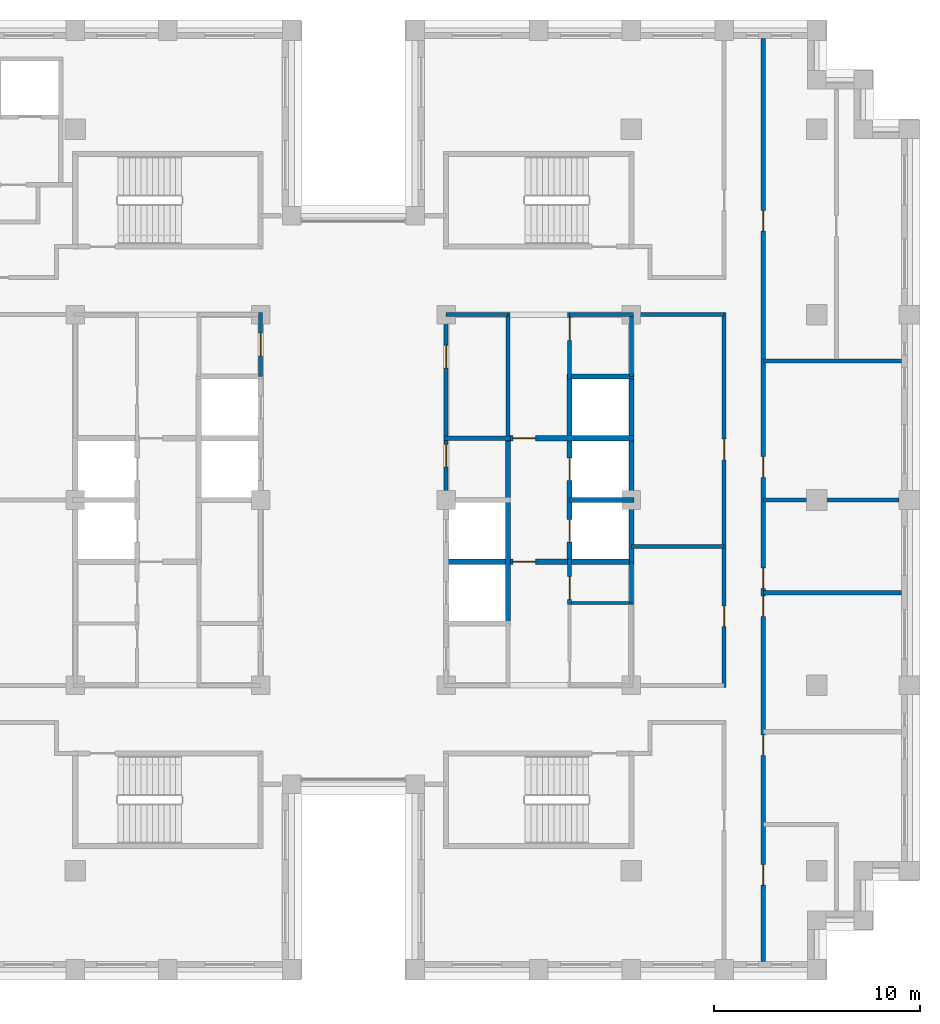
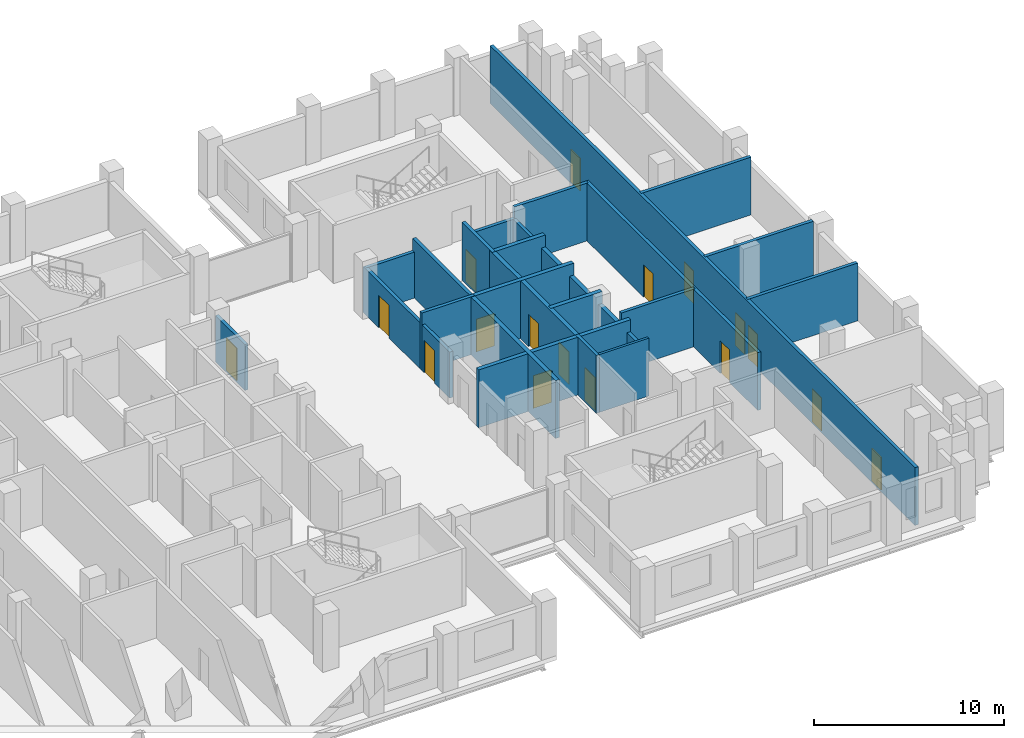
# One storey, part 9 of 15: 25 walls, 17 doors, 17 openings.
"""IFC4 building model written with IfcOpenShell, lengths in metres."""

from ifc_helpers import new_model, si_unit, direction, frame, frame_2d, origin, place, context, subcontext, project, spatial, rectangle, extrude, material, layer, layer_set, type_object, element, fill, save


model = new_model("IFC4")

# Units and contexts
model_context = context("Model", 3, precision=1e-05, world=origin(), true_north=direction((0.0, 1.0)))
body_context = subcontext(model_context, "Body", "Model", "MODEL_VIEW")
ifc_project = project(units=[si_unit("LENGTHUNIT", "METRE"), si_unit("AREAUNIT", "SQUARE_METRE"), si_unit("VOLUMEUNIT", "CUBIC_METRE"), si_unit("PLANEANGLEUNIT", "RADIAN"), si_unit("MASSUNIT", "GRAM", prefix="KILO")], contexts=[model_context])

# Site, building, storey
site_placement = place(None, origin())
site = spatial("IfcSite", under=ifc_project, at=site_placement, CompositionType="ELEMENT")
building_placement = place(site_placement, origin())
building = spatial("IfcBuilding", under=site, at=building_placement, Name="Corbelhall Arena Tower", CompositionType="ELEMENT")
storey_placement = place(building_placement, frame((0.0, 0.0, 196.0)))
storey = spatial("IfcBuildingStorey", under=building, at=storey_placement, Name="L40", CompositionType="ELEMENT", Elevation=196.0)

# Walls
ifc_material_1 = material(Name="Gypsum board on steel stud, acoustic", Category="steel")
ifc_layer_1 = layer(ifc_material_1, 0.199951171875)
ifc_layer_set_1 = layer_set([ifc_layer_1], Name="IN-W-DM200")
wall_type_1 = type_object("IfcWallType", Name="IN-W-DM200", PredefinedType="PARTITIONING", material=ifc_layer_set_1)
for number, where, z_axis, x_axis, name in (
    (1, (13.5, -2.25, 0.0), (0.0, 0.0, 1.0), (1.0, 0.0, 0.0), "Partition 038"),
    (2, (18.0, 9.0, 0.0), (0.0, 0.0, 1.0), (-1.0, 0.0, 0.0), "Partition 041"),
):
    element("IfcWall", number, at=place(storey_placement, frame(where, z_axis=z_axis, x_axis=x_axis)), inside=storey, type_object=wall_type_1, Name=name, PredefinedType="PARTITIONING", context=body_context, shape_type="SweptSolid", body=[
        extrude(rectangle(XDim=4.5, YDim=0.199951171875, at=frame_2d((2.25, 0.0))), origin(), (0.0, 0.0, 1.0), 3.719970703125),
    ])

# Wall, openings, doors
wall_1_placement = place(storey_placement, frame((18.0, -9.10009765625, 0.0), z_axis=(0.0, 0.0, 1.0), x_axis=(0.0, 1.0, 0.0)))
wall_1 = element("IfcWall", 3, at=wall_1_placement, inside=storey, type_object=wall_type_1, Name="Partition 046", PredefinedType="PARTITIONING", context=body_context, shape_type="SweptSolid", body=[
    extrude(rectangle(XDim=18.2001953125, YDim=0.199951171875, at=frame_2d((9.10009765625, 0.0))), origin(), (0.0, 0.0, 1.0), 3.719970703125),
])
opening_1_placement = place(wall_1_placement, frame((2.949951171875, 0.0, 0.0)))
opening_1 = element("IfcOpeningElement", 4, at=opening_1_placement, cuts=wall_1, Name="Opening 12025", PredefinedType="OPENING", context=body_context, shape_type="SweptSolid", body=[
    extrude(rectangle(XDim=1.0, YDim=2.10009765625, at=frame_2d((0.5, 1.050048828125))), frame((0.0, 0.10009765625, 0.0), z_axis=(0.0, -1.0, 0.0), x_axis=(1.0, 0.0, 0.0)), (0.0, 0.0, 1.0), 0.199951171875),
])
opening_2_placement = place(wall_1_placement, frame((11.050048828125, 0.0, 0.0)))
opening_2 = element("IfcOpeningElement", 5, at=opening_2_placement, cuts=wall_1, Name="Opening 12026", PredefinedType="OPENING", context=body_context, shape_type="SweptSolid", body=[
    extrude(rectangle(XDim=1.0, YDim=2.10009765625, at=frame_2d((0.5, 1.050048828125))), frame((0.0, 0.10009765625, 0.0), z_axis=(0.0, -1.0, 0.0), x_axis=(1.0, 0.0, 0.0)), (0.0, 0.0, 1.0), 0.199951171875),
])
ifc_material_2 = material(Name="Steel door set", Category="steel")
door_type_1 = type_object("IfcDoorType", Name="IN-D-SW100", OperationType="NOTDEFINED", PredefinedType="DOOR", material=ifc_material_2)
door_1_placement = place(opening_1_placement, origin())
door_1 = element("IfcDoor", 6, at=door_1_placement, inside=storey, type_object=door_type_1, Name="Door 025", OperationType="SINGLE_SWING_RIGHT", OverallHeight=2.10009765625, OverallWidth=1.0, PredefinedType="DOOR", context=body_context, shape_type="SweptSolid", body=[
    extrude(rectangle(XDim=1.0, YDim=2.10009765625, at=frame_2d((0.5, 1.050048828125))), frame((0.0, 0.02490234375, 0.0), z_axis=(0.0, -1.0, 0.0), x_axis=(1.0, 0.0, 0.0)), (0.0, 0.0, 1.0), 0.050048828125),
])
fill(opening_1, door_1)
door_2_placement = place(opening_2_placement, origin())
door_2 = element("IfcDoor", 7, at=door_2_placement, inside=storey, type_object=door_type_1, Name="Door 026", OperationType="SINGLE_SWING_LEFT", OverallHeight=2.10009765625, OverallWidth=1.0, PredefinedType="DOOR", context=body_context, shape_type="SweptSolid", body=[
    extrude(rectangle(XDim=1.0, YDim=2.10009765625, at=frame_2d((0.5, 1.050048828125))), frame((0.0, 0.02490234375, 0.0), z_axis=(0.0, -1.0, 0.0), x_axis=(1.0, 0.0, 0.0)), (0.0, 0.0, 1.0), 0.050048828125),
])
fill(opening_2, door_2)

wall_2_placement = place(storey_placement, frame((19.89990234375, 22.39990234375, 0.0), z_axis=(0.0, 0.0, 1.0), x_axis=(0.0, -1.0, 0.0)))
wall_2 = element("IfcWall", 8, at=wall_2_placement, inside=storey, type_object=wall_type_1, Name="Partition 049", PredefinedType="PARTITIONING", context=body_context, shape_type="SweptSolid", body=[
    extrude(rectangle(XDim=44.7998046875, YDim=0.199951171875, at=frame_2d((22.39990234375, 0.0))), origin(), (0.0, 0.0, 1.0), 3.719970703125),
])
opening_3_placement = place(wall_2_placement, frame((20.300048828125, 0.0, 0.0)))
opening_3 = element("IfcOpeningElement", 9, at=opening_3_placement, cuts=wall_2, Name="Opening 12036", PredefinedType="OPENING", context=body_context, shape_type="SweptSolid", body=[
    extrude(rectangle(XDim=1.0, YDim=2.10009765625, at=frame_2d((0.5, 1.050048828125))), frame((0.0, 0.10009765625, 0.0), z_axis=(0.0, -1.0, 0.0), x_axis=(1.0, 0.0, 0.0)), (0.0, 0.0, 1.0), 0.199951171875),
])
opening_4_placement = place(wall_2_placement, frame((8.35009765625, 0.0, 0.0)))
opening_4 = element("IfcOpeningElement", 10, at=opening_4_placement, cuts=wall_2, Name="Opening 12037", PredefinedType="OPENING", context=body_context, shape_type="SweptSolid", body=[
    extrude(rectangle(XDim=1.0, YDim=2.10009765625, at=frame_2d((0.5, 1.050048828125))), frame((0.0, 0.10009765625, 0.0), z_axis=(0.0, -1.0, 0.0), x_axis=(1.0, 0.0, 0.0)), (0.0, 0.0, 1.0), 0.199951171875),
])
opening_5_placement = place(wall_2_placement, frame((40.10009765625, 0.0, 0.0)))
opening_5 = element("IfcOpeningElement", 11, at=opening_5_placement, cuts=wall_2, Name="Opening 12039", PredefinedType="OPENING", context=body_context, shape_type="SweptSolid", body=[
    extrude(rectangle(XDim=1.0, YDim=2.10009765625, at=frame_2d((0.5, 1.050048828125))), frame((0.0, 0.10009765625, 0.0), z_axis=(0.0, -1.0, 0.0), x_axis=(1.0, 0.0, 0.0)), (0.0, 0.0, 1.0), 0.199951171875),
])
opening_6_placement = place(wall_2_placement, frame((33.800048828125, 0.0, 0.0)))
opening_6 = element("IfcOpeningElement", 12, at=opening_6_placement, cuts=wall_2, Name="Opening 12040", PredefinedType="OPENING", context=body_context, shape_type="SweptSolid", body=[
    extrude(rectangle(XDim=1.0, YDim=2.10009765625, at=frame_2d((0.5, 1.050048828125))), frame((0.0, 0.10009765625, 0.0), z_axis=(0.0, -1.0, 0.0), x_axis=(1.0, 0.0, 0.0)), (0.0, 0.0, 1.0), 0.199951171875),
])
opening_7_placement = place(wall_2_placement, frame((27.050048828125, 0.0, 0.0)))
opening_7 = element("IfcOpeningElement", 13, at=opening_7_placement, cuts=wall_2, Name="Opening 12041", PredefinedType="OPENING", context=body_context, shape_type="SweptSolid", body=[
    extrude(rectangle(XDim=1.0, YDim=2.10009765625, at=frame_2d((0.5, 1.050048828125))), frame((0.0, 0.10009765625, 0.0), z_axis=(0.0, -1.0, 0.0), x_axis=(1.0, 0.0, 0.0)), (0.0, 0.0, 1.0), 0.199951171875),
])
opening_8_placement = place(wall_2_placement, frame((25.699951171875, 0.0, 0.0)))
opening_8 = element("IfcOpeningElement", 14, at=opening_8_placement, cuts=wall_2, Name="Opening 12042", PredefinedType="OPENING", context=body_context, shape_type="SweptSolid", body=[
    extrude(rectangle(XDim=1.0, YDim=2.10009765625, at=frame_2d((0.5, 1.050048828125))), frame((0.0, 0.10009765625, 0.0), z_axis=(0.0, -1.0, 0.0), x_axis=(1.0, 0.0, 0.0)), (0.0, 0.0, 1.0), 0.199951171875),
])
door_3_placement = place(opening_3_placement, origin())
door_3 = element("IfcDoor", 15, at=door_3_placement, inside=storey, type_object=door_type_1, Name="Door 036", OperationType="SINGLE_SWING_LEFT", OverallHeight=2.10009765625, OverallWidth=1.0, PredefinedType="DOOR", context=body_context, shape_type="SweptSolid", body=[
    extrude(rectangle(XDim=1.0, YDim=2.10009765625, at=frame_2d((0.5, 1.050048828125))), frame((0.0, 0.02490234375, 0.0), z_axis=(0.0, -1.0, 0.0), x_axis=(1.0, 0.0, 0.0)), (0.0, 0.0, 1.0), 0.050048828125),
])
fill(opening_3, door_3)
door_4_placement = place(opening_4_placement, origin())
door_4 = element("IfcDoor", 16, at=door_4_placement, inside=storey, type_object=door_type_1, Name="Door 037", OperationType="SINGLE_SWING_RIGHT", OverallHeight=2.10009765625, OverallWidth=1.0, PredefinedType="DOOR", context=body_context, shape_type="SweptSolid", body=[
    extrude(rectangle(XDim=1.0, YDim=2.10009765625, at=frame_2d((0.5, 1.050048828125))), frame((0.0, 0.02490234375, 0.0), z_axis=(0.0, -1.0, 0.0), x_axis=(1.0, 0.0, 0.0)), (0.0, 0.0, 1.0), 0.050048828125),
])
fill(opening_4, door_4)
door_5_placement = place(opening_5_placement, origin())
door_5 = element("IfcDoor", 17, at=door_5_placement, inside=storey, type_object=door_type_1, Name="Door 039", OperationType="SINGLE_SWING_RIGHT", OverallHeight=2.10009765625, OverallWidth=1.0, PredefinedType="DOOR", context=body_context, shape_type="SweptSolid", body=[
    extrude(rectangle(XDim=1.0, YDim=2.10009765625, at=frame_2d((0.5, 1.050048828125))), frame((0.0, 0.02490234375, 0.0), z_axis=(0.0, -1.0, 0.0), x_axis=(1.0, 0.0, 0.0)), (0.0, 0.0, 1.0), 0.050048828125),
])
fill(opening_5, door_5)
door_6_placement = place(opening_6_placement, origin())
door_6 = element("IfcDoor", 18, at=door_6_placement, inside=storey, type_object=door_type_1, Name="Door 040", OperationType="SINGLE_SWING_LEFT", OverallHeight=2.10009765625, OverallWidth=1.0, PredefinedType="DOOR", context=body_context, shape_type="SweptSolid", body=[
    extrude(rectangle(XDim=1.0, YDim=2.10009765625, at=frame_2d((0.5, 1.050048828125))), frame((0.0, 0.02490234375, 0.0), z_axis=(0.0, -1.0, 0.0), x_axis=(1.0, 0.0, 0.0)), (0.0, 0.0, 1.0), 0.050048828125),
])
fill(opening_6, door_6)
door_7_placement = place(opening_7_placement, origin())
door_7 = element("IfcDoor", 19, at=door_7_placement, inside=storey, type_object=door_type_1, Name="Door 041", OperationType="SINGLE_SWING_RIGHT", OverallHeight=2.10009765625, OverallWidth=1.0, PredefinedType="DOOR", context=body_context, shape_type="SweptSolid", body=[
    extrude(rectangle(XDim=1.0, YDim=2.10009765625, at=frame_2d((0.5, 1.050048828125))), frame((0.0, 0.02490234375, 0.0), z_axis=(0.0, -1.0, 0.0), x_axis=(1.0, 0.0, 0.0)), (0.0, 0.0, 1.0), 0.050048828125),
])
fill(opening_7, door_7)
door_8_placement = place(opening_8_placement, origin())
door_8 = element("IfcDoor", 20, at=door_8_placement, inside=storey, type_object=door_type_1, Name="Door 042", OperationType="SINGLE_SWING_LEFT", OverallHeight=2.10009765625, OverallWidth=1.0, PredefinedType="DOOR", context=body_context, shape_type="SweptSolid", body=[
    extrude(rectangle(XDim=1.0, YDim=2.10009765625, at=frame_2d((0.5, 1.050048828125))), frame((0.0, 0.02490234375, 0.0), z_axis=(0.0, -1.0, 0.0), x_axis=(1.0, 0.0, 0.0)), (0.0, 0.0, 1.0), 0.050048828125),
])
fill(opening_8, door_8)

# Walls
for number, where, z_axis, x_axis, name in (
    (21, (19.89990234375, -4.5, 0.0), (0.0, 0.0, 1.0), (1.0, 0.0, 0.0), "Partition 051"),
    (22, (19.89990234375, 6.75, 0.0), (0.0, 0.0, 1.0), (1.0, 0.0, 0.0), "Partition 052"),
):
    element("IfcWall", number, at=place(storey_placement, frame(where, z_axis=z_axis, x_axis=x_axis)), inside=storey, type_object=wall_type_1, Name=name, PredefinedType="PARTITIONING", context=body_context, shape_type="SweptSolid", body=[
        extrude(rectangle(XDim=6.7001953125, YDim=0.199951171875, at=frame_2d((3.35009765625, 0.0))), origin(), (0.0, 0.0, 1.0), 3.719970703125),
    ])
wall_3_placement = place(storey_placement, frame((26.5, 0.0, 0.0), z_axis=(0.0, 0.0, 1.0), x_axis=(-1.0, 0.0, 0.0)))
element("IfcWall", 23, at=wall_3_placement, inside=storey, type_object=wall_type_1, Name="Partition 054", PredefinedType="PARTITIONING", context=body_context, shape_type="SweptSolid", body=[
    extrude(rectangle(XDim=6.60009765625, YDim=0.199951171875, at=frame_2d((3.300048828125, 0.0))), origin(), (0.0, 0.0, 1.0), 3.719970703125),
])
ifc_material_3 = material(Name="Concrete block wall", Category="concrete")
ifc_layer_2 = layer(ifc_material_3, 0.199951171875)
ifc_layer_set_2 = layer_set([ifc_layer_2], Name="IN-W-RS200")
wall_type_2 = type_object("IfcWallType", Name="IN-W-RS200", PredefinedType="SOLIDWALL", material=ifc_layer_set_2)
wall_4_placement = place(storey_placement, frame((4.39990234375, 3.0, 0.0), z_axis=(0.0, 0.0, 1.0), x_axis=(1.0, 0.0, 0.0)))
element("IfcWall", 24, at=wall_4_placement, inside=storey, type_object=wall_type_2, Name="Partition 065", PredefinedType="SOLIDWALL", context=body_context, shape_type="SweptSolid", body=[
    extrude(rectangle(XDim=3.22509765625, YDim=0.199951171875, at=frame_2d((1.612548828125, 0.0))), origin(), (0.0, 0.0, 1.0), 3.719970703125),
])
wall_5_placement = place(storey_placement, frame((7.5, 9.10009765625, 0.0), z_axis=(0.0, 0.0, 1.0), x_axis=(0.0, -1.0, 0.0)))
element("IfcWall", 25, at=wall_5_placement, inside=storey, type_object=wall_type_2, Name="Partition 071", PredefinedType="SOLIDWALL", context=body_context, shape_type="SweptSolid", body=[
    extrude(rectangle(XDim=6.22509765625, YDim=0.199951171875, at=frame_2d((3.112548828125, 0.0))), origin(), (0.0, 0.0, 1.0), 3.719970703125),
])

# Wall, opening, door
wall_6_placement = place(storey_placement, frame((10.5, -2.875, 0.0), z_axis=(0.0, 0.0, 1.0), x_axis=(0.0, -1.0, 0.0)))
wall_6 = element("IfcWall", 26, at=wall_6_placement, inside=storey, type_object=wall_type_2, Name="Partition 072", PredefinedType="SOLIDWALL", context=body_context, shape_type="SweptSolid", body=[
    extrude(rectangle(XDim=2.199951171875, YDim=0.199951171875, at=frame_2d((1.10009765625, 0.0))), origin(), (0.0, 0.0, 1.0), 3.719970703125),
])
opening_9_placement = place(wall_6_placement, frame((0.85009765625, 0.0, 0.0)))
opening_9 = element("IfcOpeningElement", 27, at=opening_9_placement, cuts=wall_6, Name="Opening 12015", PredefinedType="OPENING", context=body_context, shape_type="SweptSolid", body=[
    extrude(rectangle(XDim=1.10009765625, YDim=2.10009765625, at=frame_2d((0.550048828125, 1.050048828125))), frame((0.0, 0.10009765625, 0.0), z_axis=(0.0, -1.0, 0.0), x_axis=(1.0, 0.0, 0.0)), (0.0, 0.0, 1.0), 0.199951171875),
])
door_type_2 = type_object("IfcDoorType", Name="IN-D-FD110", OperationType="NOTDEFINED", PredefinedType="DOOR", material=ifc_material_2)
door_9_placement = place(opening_9_placement, origin())
door_9 = element("IfcDoor", 28, at=door_9_placement, inside=storey, type_object=door_type_2, Name="Door 015", OperationType="SINGLE_SWING_RIGHT", OverallHeight=2.10009765625, OverallWidth=1.10009765625, PredefinedType="DOOR", context=body_context, shape_type="SweptSolid", body=[
    extrude(rectangle(XDim=1.10009765625, YDim=2.10009765625, at=frame_2d((0.550048828125, 1.050048828125))), frame((0.0, 0.02490234375, 0.0), z_axis=(0.0, -1.0, 0.0), x_axis=(1.0, 0.0, 0.0)), (0.0, 0.0, 1.0), 0.050048828125),
])
fill(opening_9, door_9)

wall_7_placement = place(storey_placement, frame((10.5, 9.10009765625, 0.0), z_axis=(0.0, 0.0, 1.0), x_axis=(0.0, -1.0, 0.0)))
wall_7 = element("IfcWall", 29, at=wall_7_placement, inside=storey, type_object=wall_type_2, Name="Partition 074", PredefinedType="SOLIDWALL", context=body_context, shape_type="SweptSolid", body=[
    extrude(rectangle(XDim=3.22509765625, YDim=0.199951171875, at=frame_2d((1.612548828125, 0.0))), origin(), (0.0, 0.0, 1.0), 3.719970703125),
])
opening_10_placement = place(wall_7_placement, frame((0.25, 0.0, 0.0)))
opening_10 = element("IfcOpeningElement", 30, at=opening_10_placement, cuts=wall_7, Name="Opening 12016", PredefinedType="OPENING", context=body_context, shape_type="SweptSolid", body=[
    extrude(rectangle(XDim=1.10009765625, YDim=2.10009765625, at=frame_2d((0.550048828125, 1.050048828125))), frame((0.0, 0.10009765625, 0.0), z_axis=(0.0, -1.0, 0.0), x_axis=(1.0, 0.0, 0.0)), (0.0, 0.0, 1.0), 0.199951171875),
])
door_10_placement = place(opening_10_placement, origin())
door_10 = element("IfcDoor", 31, at=door_10_placement, inside=storey, type_object=door_type_2, Name="Door 016", OperationType="SINGLE_SWING_LEFT", OverallHeight=2.10009765625, OverallWidth=1.10009765625, PredefinedType="DOOR", context=body_context, shape_type="SweptSolid", body=[
    extrude(rectangle(XDim=1.10009765625, YDim=2.10009765625, at=frame_2d((0.550048828125, 1.050048828125))), frame((0.0, 0.02490234375, 0.0), z_axis=(0.0, -1.0, 0.0), x_axis=(1.0, 0.0, 0.0)), (0.0, 0.0, 1.0), 0.050048828125),
])
fill(opening_10, door_10)

ifc_layer_3 = layer(ifc_material_3, 0.199951171875)
ifc_layer_set_3 = layer_set([ifc_layer_3], Name="IN-W-RS200 under beam 762 mm")
wall_type_3 = type_object("IfcWallType", Name="IN-W-RS200 under beam 762 mm", PredefinedType="SOLIDWALL", material=ifc_layer_set_3)
wall_8_placement = place(storey_placement, frame((-4.5, 9.10009765625, 0.0), z_axis=(0.0, 0.0, 1.0), x_axis=(0.0, -1.0, 0.0)))
wall_8 = element("IfcWall", 32, at=wall_8_placement, inside=storey, type_object=wall_type_3, Name="Partition 064", PredefinedType="SOLIDWALL", context=body_context, shape_type="SweptSolid", body=[
    extrude(rectangle(XDim=3.10009765625, YDim=0.199951171875, at=frame_2d((1.550048828125, 0.0))), origin(), (0.0, 0.0, 1.0), 2.9580078125),
])
opening_11_placement = place(wall_8_placement, frame((1.0, 0.0, 0.0)))
opening_11 = element("IfcOpeningElement", 33, at=opening_11_placement, cuts=wall_8, Name="Opening 12003", PredefinedType="OPENING", context=body_context, shape_type="SweptSolid", body=[
    extrude(rectangle(XDim=1.10009765625, YDim=2.10009765625, at=frame_2d((0.550048828125, 1.050048828125))), frame((0.0, 0.10009765625, 0.0), z_axis=(0.0, -1.0, 0.0), x_axis=(1.0, 0.0, 0.0)), (0.0, 0.0, 1.0), 0.199951171875),
])
door_11_placement = place(opening_11_placement, origin())
door_11 = element("IfcDoor", 34, at=door_11_placement, inside=storey, type_object=door_type_2, Name="Door 003", OperationType="SINGLE_SWING_RIGHT", OverallHeight=2.10009765625, OverallWidth=1.10009765625, PredefinedType="DOOR", context=body_context, shape_type="SweptSolid", body=[
    extrude(rectangle(XDim=1.10009765625, YDim=2.10009765625, at=frame_2d((0.550048828125, 1.050048828125))), frame((0.0, 0.02490234375, 0.0), z_axis=(0.0, -1.0, 0.0), x_axis=(1.0, 0.0, 0.0)), (0.0, 0.0, 1.0), 0.050048828125),
])
fill(opening_11, door_11)

# Wall, openings, doors
wall_9_placement = place(storey_placement, frame((4.5, 0.0, 0.0), z_axis=(0.0, 0.0, 1.0), x_axis=(0.0, 1.0, 0.0)))
wall_9 = element("IfcWall", 35, at=wall_9_placement, inside=storey, type_object=wall_type_3, Name="Partition 067", PredefinedType="SOLIDWALL", context=body_context, shape_type="SweptSolid", body=[
    extrude(rectangle(XDim=9.10009765625, YDim=0.199951171875, at=frame_2d((4.550048828125, 0.0))), origin(), (0.0, 0.0, 1.0), 2.9580078125),
])
opening_12_placement = place(wall_9_placement, frame((1.60009765625, 0.0, 0.0)))
opening_12 = element("IfcOpeningElement", 36, at=opening_12_placement, cuts=wall_9, Name="Opening 12010", PredefinedType="OPENING", context=body_context, shape_type="SweptSolid", body=[
    extrude(rectangle(XDim=1.10009765625, YDim=2.10009765625, at=frame_2d((0.550048828125, 1.050048828125))), frame((0.0, 0.10009765625, 0.0), z_axis=(0.0, -1.0, 0.0), x_axis=(1.0, 0.0, 0.0)), (0.0, 0.0, 1.0), 0.199951171875),
])
opening_13_placement = place(wall_9_placement, frame((6.39990234375, 0.0, 0.0)))
opening_13 = element("IfcOpeningElement", 37, at=opening_13_placement, cuts=wall_9, Name="Opening 12011", PredefinedType="OPENING", context=body_context, shape_type="SweptSolid", body=[
    extrude(rectangle(XDim=1.10009765625, YDim=2.10009765625, at=frame_2d((0.550048828125, 1.050048828125))), frame((0.0, 0.10009765625, 0.0), z_axis=(0.0, -1.0, 0.0), x_axis=(1.0, 0.0, 0.0)), (0.0, 0.0, 1.0), 0.199951171875),
])
door_12_placement = place(opening_12_placement, origin())
door_12 = element("IfcDoor", 38, at=door_12_placement, inside=storey, type_object=door_type_2, Name="Door 010", OperationType="SINGLE_SWING_LEFT", OverallHeight=2.10009765625, OverallWidth=1.10009765625, PredefinedType="DOOR", context=body_context, shape_type="SweptSolid", body=[
    extrude(rectangle(XDim=1.10009765625, YDim=2.10009765625, at=frame_2d((0.550048828125, 1.050048828125))), frame((0.0, 0.02490234375, 0.0), z_axis=(0.0, -1.0, 0.0), x_axis=(1.0, 0.0, 0.0)), (0.0, 0.0, 1.0), 0.050048828125),
])
fill(opening_12, door_12)
door_13_placement = place(opening_13_placement, origin())
door_13 = element("IfcDoor", 39, at=door_13_placement, inside=storey, type_object=door_type_2, Name="Door 011", OperationType="SINGLE_SWING_RIGHT", OverallHeight=2.10009765625, OverallWidth=1.10009765625, PredefinedType="DOOR", context=body_context, shape_type="SweptSolid", body=[
    extrude(rectangle(XDim=1.10009765625, YDim=2.10009765625, at=frame_2d((0.550048828125, 1.050048828125))), frame((0.0, 0.02490234375, 0.0), z_axis=(0.0, -1.0, 0.0), x_axis=(1.0, 0.0, 0.0)), (0.0, 0.0, 1.0), 0.050048828125),
])
fill(opening_13, door_13)

# Walls
wall_10_placement = place(storey_placement, frame((4.5, 9.0, 0.0), z_axis=(0.0, 0.0, 1.0), x_axis=(1.0, 0.0, 0.0)))
element("IfcWall", 40, at=wall_10_placement, inside=storey, type_object=wall_type_3, Name="Partition 068", PredefinedType="SOLIDWALL", context=body_context, shape_type="SweptSolid", body=[
    extrude(rectangle(XDim=3.0, YDim=0.199951171875, at=frame_2d((1.5, 0.0))), origin(), (0.0, 0.0, 1.0), 2.9580078125),
])
wall_11_placement = place(storey_placement, frame((10.5, 9.0, 0.0), z_axis=(0.0, 0.0, 1.0), x_axis=(1.0, 0.0, 0.0)))
element("IfcWall", 41, at=wall_11_placement, inside=storey, type_object=wall_type_3, Name="Partition 073", PredefinedType="SOLIDWALL", context=body_context, shape_type="SweptSolid", body=[
    extrude(rectangle(XDim=3.10009765625, YDim=0.199951171875, at=frame_2d((1.550048828125, 0.0))), origin(), (0.0, 0.0, 1.0), 2.9580078125),
])
wall_12_placement = place(storey_placement, frame((13.5, -3.0, 0.0), z_axis=(0.0, 0.0, 1.0), x_axis=(0.0, -1.0, 0.0)))
element("IfcWall", 42, at=wall_12_placement, inside=storey, type_object=wall_type_3, Name="Partition 075", PredefinedType="SOLIDWALL", context=body_context, shape_type="SweptSolid", body=[
    extrude(rectangle(XDim=2.0, YDim=0.199951171875, at=frame_2d((1.0, 0.0))), origin(), (0.0, 0.0, 1.0), 2.9580078125),
])
wall_13_placement = place(storey_placement, frame((13.5, 9.10009765625, 0.0), z_axis=(0.0, 0.0, 1.0), x_axis=(0.0, -1.0, 0.0)))
element("IfcWall", 43, at=wall_13_placement, inside=storey, type_object=wall_type_3, Name="Partition 076", PredefinedType="SOLIDWALL", context=body_context, shape_type="SweptSolid", body=[
    extrude(rectangle(XDim=3.10009765625, YDim=0.199951171875, at=frame_2d((1.550048828125, 0.0))), origin(), (0.0, 0.0, 1.0), 2.9580078125),
])

# Wall, opening, door
ifc_material_4 = material(Name="Concrete C40/50", Category="concrete")
ifc_layer_4 = layer(ifc_material_4, 0.25)
ifc_layer_set_4 = layer_set([ifc_layer_4], Name="IN-W-SH250")
wall_type_4 = type_object("IfcWallType", Name="IN-W-SH250", PredefinedType="SOLIDWALL", material=ifc_layer_set_4)
wall_14_placement = place(storey_placement, frame((4.375, -3.0, 0.0), z_axis=(0.0, 0.0, 1.0), x_axis=(1.0, 0.0, 0.0)))
wall_14 = element("IfcWall", 44, at=wall_14_placement, inside=storey, type_object=wall_type_4, Name="Shaft wall 087", PredefinedType="SOLIDWALL", context=body_context, shape_type="SweptSolid", body=[
    extrude(rectangle(XDim=9.25, YDim=0.25, at=frame_2d((4.625, 0.0))), origin(), (0.0, 0.0, 1.0), 3.719970703125),
])
opening_14_placement = place(wall_14_placement, frame((3.375, 0.0, 0.0)))
opening_14 = element("IfcOpeningElement", 45, at=opening_14_placement, cuts=wall_14, Name="Opening 12012", PredefinedType="OPENING", context=body_context, shape_type="SweptSolid", body=[
    extrude(rectangle(XDim=1.10009765625, YDim=2.10009765625, at=frame_2d((0.550048828125, 1.050048828125))), frame((0.0, 0.125, 0.0), z_axis=(0.0, -1.0, 0.0), x_axis=(1.0, 0.0, 0.0)), (0.0, 0.0, 1.0), 0.25),
])
door_14_placement = place(opening_14_placement, origin())
door_14 = element("IfcDoor", 46, at=door_14_placement, inside=storey, type_object=door_type_2, Name="Door 012", OperationType="SINGLE_SWING_LEFT", OverallHeight=2.10009765625, OverallWidth=1.10009765625, PredefinedType="DOOR", context=body_context, shape_type="SweptSolid", body=[
    extrude(rectangle(XDim=1.10009765625, YDim=2.10009765625, at=frame_2d((0.550048828125, 1.050048828125))), frame((0.0, 0.02490234375, 0.0), z_axis=(0.0, -1.0, 0.0), x_axis=(1.0, 0.0, 0.0)), (0.0, 0.0, 1.0), 0.050048828125),
])
fill(opening_14, door_14)

# Wall
wall_15_placement = place(storey_placement, frame((7.5, 3.125, 0.0), z_axis=(0.0, 0.0, 1.0), x_axis=(0.0, -1.0, 0.0)))
element("IfcWall", 47, at=wall_15_placement, inside=storey, type_object=wall_type_4, Name="Shaft wall 090", PredefinedType="SOLIDWALL", context=body_context, shape_type="SweptSolid", body=[
    extrude(rectangle(XDim=9.125, YDim=0.25, at=frame_2d((4.5625, 0.0))), origin(), (0.0, 0.0, 1.0), 3.719970703125),
])

# Wall, opening, door
wall_16_placement = place(storey_placement, frame((7.5, 3.0, 0.0), z_axis=(0.0, 0.0, 1.0), x_axis=(1.0, 0.0, 0.0)))
wall_16 = element("IfcWall", 48, at=wall_16_placement, inside=storey, type_object=wall_type_4, Name="Shaft wall 091", PredefinedType="SOLIDWALL", context=body_context, shape_type="SweptSolid", body=[
    extrude(rectangle(XDim=6.125, YDim=0.25, at=frame_2d((3.0625, 0.0))), origin(), (0.0, 0.0, 1.0), 3.719970703125),
])
opening_15_placement = place(wall_16_placement, frame((0.25, 0.0, 0.0)))
opening_15 = element("IfcOpeningElement", 49, at=opening_15_placement, cuts=wall_16, Name="Opening 12013", PredefinedType="OPENING", context=body_context, shape_type="SweptSolid", body=[
    extrude(rectangle(XDim=1.10009765625, YDim=2.10009765625, at=frame_2d((0.550048828125, 1.050048828125))), frame((0.0, 0.125, 0.0), z_axis=(0.0, -1.0, 0.0), x_axis=(1.0, 0.0, 0.0)), (0.0, 0.0, 1.0), 0.25),
])
door_15_placement = place(opening_15_placement, origin())
door_15 = element("IfcDoor", 50, at=door_15_placement, inside=storey, type_object=door_type_2, Name="Door 013", OperationType="SINGLE_SWING_RIGHT", OverallHeight=2.10009765625, OverallWidth=1.10009765625, PredefinedType="DOOR", context=body_context, shape_type="SweptSolid", body=[
    extrude(rectangle(XDim=1.10009765625, YDim=2.10009765625, at=frame_2d((0.550048828125, 1.050048828125))), frame((0.0, 0.02490234375, 0.0), z_axis=(0.0, -1.0, 0.0), x_axis=(1.0, 0.0, 0.0)), (0.0, 0.0, 1.0), 0.050048828125),
])
fill(opening_15, door_15)

# Wall
wall_17_placement = place(storey_placement, frame((10.5, 0.0, 0.0), z_axis=(0.0, 0.0, 1.0), x_axis=(1.0, 0.0, 0.0)))
element("IfcWall", 51, at=wall_17_placement, inside=storey, type_object=wall_type_4, Name="Shaft wall 092", PredefinedType="SOLIDWALL", context=body_context, shape_type="SweptSolid", body=[
    extrude(rectangle(XDim=3.125, YDim=0.25, at=frame_2d((1.5625, 0.0))), origin(), (0.0, 0.0, 1.0), 3.719970703125),
])

# Wall, openings, doors
wall_18_placement = place(storey_placement, frame((10.5, 6.125, 0.0), z_axis=(0.0, 0.0, 1.0), x_axis=(0.0, -1.0, 0.0)))
wall_18 = element("IfcWall", 52, at=wall_18_placement, inside=storey, type_object=wall_type_4, Name="Shaft wall 093", PredefinedType="SOLIDWALL", context=body_context, shape_type="SweptSolid", body=[
    extrude(rectangle(XDim=9.25, YDim=0.25, at=frame_2d((4.625, 0.0))), origin(), (0.0, 0.0, 1.0), 3.719970703125),
])
opening_16_placement = place(wall_18_placement, frame((7.074951171875, 0.0, 0.0)))
opening_16 = element("IfcOpeningElement", 53, at=opening_16_placement, cuts=wall_18, Name="Opening LD", PredefinedType="OPENING", context=body_context, shape_type="SweptSolid", body=[
    extrude(rectangle(XDim=1.10009765625, YDim=2.10009765625, at=frame_2d((0.550048828125, 1.050048828125))), frame((0.0, 0.125, 0.0), z_axis=(0.0, -1.0, 0.0), x_axis=(1.0, 0.0, 0.0)), (0.0, 0.0, 1.0), 0.25),
])
opening_17_placement = place(wall_18_placement, frame((4.074951171875, 0.0, 0.0)))
opening_17 = element("IfcOpeningElement", 54, at=opening_17_placement, cuts=wall_18, Name="Opening LD", PredefinedType="OPENING", context=body_context, shape_type="SweptSolid", body=[
    extrude(rectangle(XDim=1.10009765625, YDim=2.10009765625, at=frame_2d((0.550048828125, 1.050048828125))), frame((0.0, 0.125, 0.0), z_axis=(0.0, -1.0, 0.0), x_axis=(1.0, 0.0, 0.0)), (0.0, 0.0, 1.0), 0.25),
])
door_type_3 = type_object("IfcDoorType", Name="IN-D-LD110", OperationType="NOTDEFINED", PredefinedType="DOOR", material=ifc_material_2)
door_16_placement = place(opening_16_placement, origin())
door_16 = element("IfcDoor", 55, at=door_16_placement, inside=storey, type_object=door_type_3, Name="Landing door E3", OperationType="SLIDING_TO_LEFT", OverallHeight=2.10009765625, OverallWidth=1.10009765625, PredefinedType="DOOR", context=body_context, shape_type="SweptSolid", body=[
    extrude(rectangle(XDim=1.10009765625, YDim=2.10009765625, at=frame_2d((0.550048828125, 1.050048828125))), frame((0.0, 0.02490234375, 0.0), z_axis=(0.0, -1.0, 0.0), x_axis=(1.0, 0.0, 0.0)), (0.0, 0.0, 1.0), 0.050048828125),
])
fill(opening_16, door_16)
door_17_placement = place(opening_17_placement, origin())
door_17 = element("IfcDoor", 56, at=door_17_placement, inside=storey, type_object=door_type_3, Name="Landing door E4", OperationType="SLIDING_TO_LEFT", OverallHeight=2.10009765625, OverallWidth=1.10009765625, PredefinedType="DOOR", context=body_context, shape_type="SweptSolid", body=[
    extrude(rectangle(XDim=1.10009765625, YDim=2.10009765625, at=frame_2d((0.550048828125, 1.050048828125))), frame((0.0, 0.02490234375, 0.0), z_axis=(0.0, -1.0, 0.0), x_axis=(1.0, 0.0, 0.0)), (0.0, 0.0, 1.0), 0.050048828125),
])
fill(opening_17, door_17)

# Walls
wall_19_placement = place(storey_placement, frame((10.5, 6.0, 0.0), z_axis=(0.0, 0.0, 1.0), x_axis=(1.0, 0.0, 0.0)))
element("IfcWall", 57, at=wall_19_placement, inside=storey, type_object=wall_type_4, Name="Shaft wall 094", PredefinedType="SOLIDWALL", context=body_context, shape_type="SweptSolid", body=[
    extrude(rectangle(XDim=3.125, YDim=0.25, at=frame_2d((1.5625, 0.0))), origin(), (0.0, 0.0, 1.0), 3.719970703125),
])
ifc_layer_5 = layer(ifc_material_4, 0.25)
ifc_layer_set_5 = layer_set([ifc_layer_5], Name="IN-W-SH250 under beam 762 mm")
wall_type_5 = type_object("IfcWallType", Name="IN-W-SH250 under beam 762 mm", PredefinedType="SOLIDWALL", material=ifc_layer_set_5)
wall_20_placement = place(storey_placement, frame((13.5, 6.0, 0.0), z_axis=(0.0, 0.0, 1.0), x_axis=(0.0, -1.0, 0.0)))
element("IfcWall", 58, at=wall_20_placement, inside=storey, type_object=wall_type_5, Name="Shaft wall 095", PredefinedType="SOLIDWALL", context=body_context, shape_type="SweptSolid", body=[
    extrude(rectangle(XDim=9.0, YDim=0.25, at=frame_2d((4.5, 0.0))), origin(), (0.0, 0.0, 1.0), 2.9580078125),
])
ifc_material_5 = material(Name="Gypsum board on steel stud, moisture resistant", Category="steel")
ifc_layer_6 = layer(ifc_material_5, 0.14990234375)
ifc_layer_set_6 = layer_set([ifc_layer_6], Name="IN-W-WC150")
wall_type_6 = type_object("IfcWallType", Name="IN-W-WC150", PredefinedType="PARTITIONING", material=ifc_layer_set_6)
wall_21_placement = place(storey_placement, frame((10.5, -5.0, 0.0), z_axis=(0.0, 0.0, 1.0), x_axis=(1.0, 0.0, 0.0)))
element("IfcWall", 59, at=wall_21_placement, inside=storey, type_object=wall_type_6, Name="Partition 125", PredefinedType="PARTITIONING", context=body_context, shape_type="SweptSolid", body=[
    extrude(rectangle(XDim=3.10009765625, YDim=0.14990234375, at=frame_2d((1.550048828125, 0.0))), origin(), (0.0, 0.0, 1.0), 3.719970703125),
])

save(model, "model.ifc")
